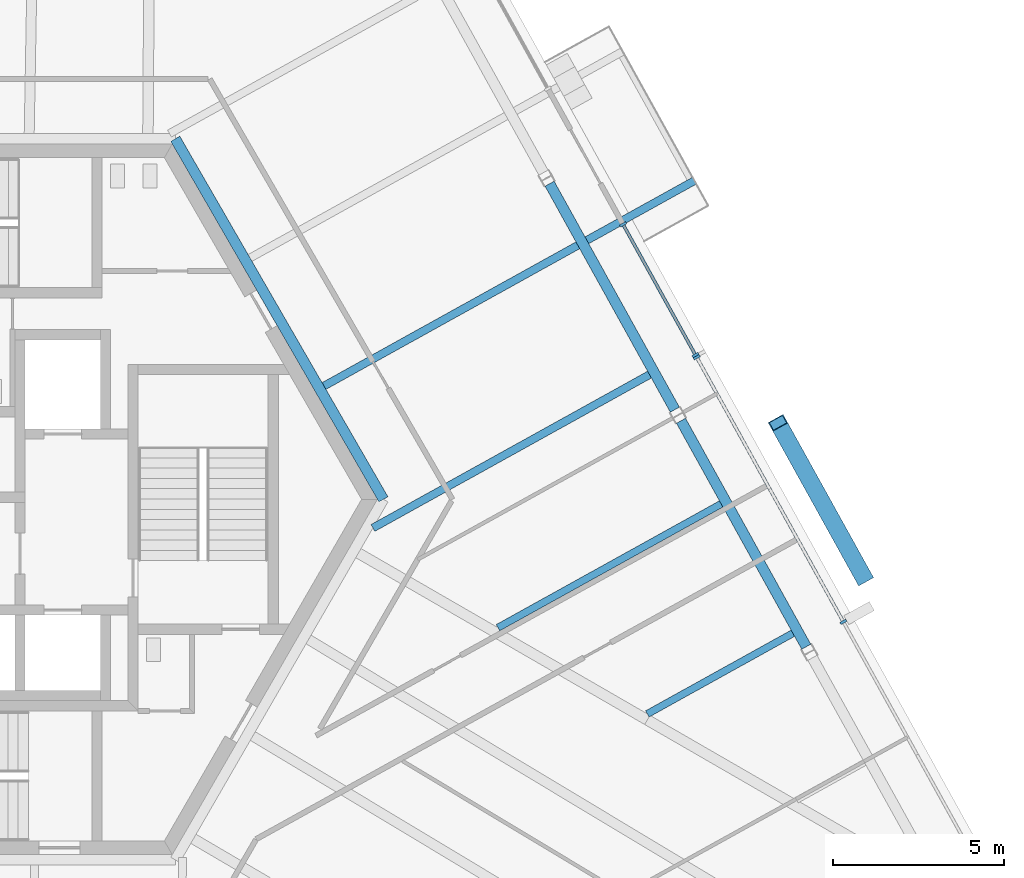
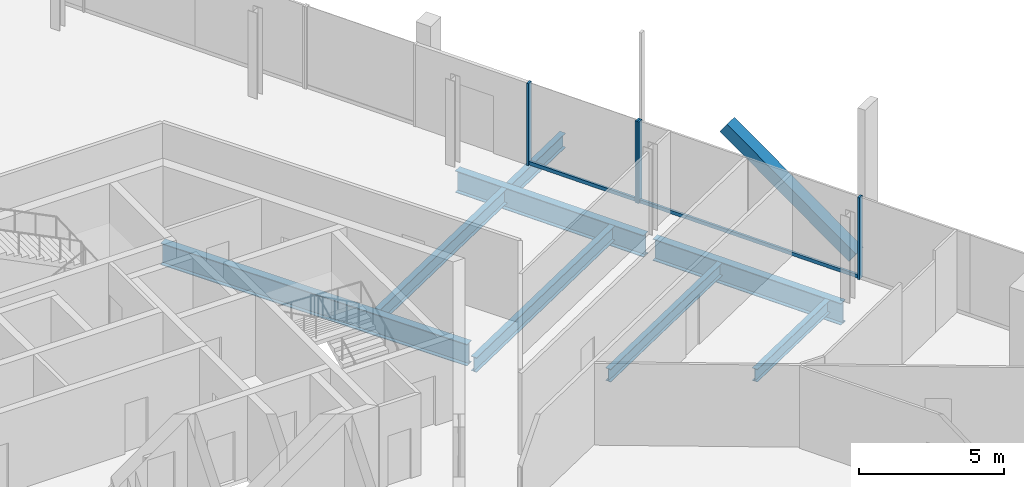
# One storey, part 7 of 21: 8 beams, 7 members, 2 elements without a shape of their own.
"""IFC4 building model written with IfcOpenShell, lengths in metres."""

from ifc_helpers import new_model, si_unit, direction, frame, origin, origin_2d, place, context, subcontext, project, spatial, rectangle, hollow_rectangle, i_section, extrude, source, transform, mapped, material, material_profile, profile_set, type_object, element, aggregate, save


model = new_model("IFC4")

# Units and contexts
model_context = context("Model", 3, precision=1e-05, world=origin(), true_north=direction((0.0, 1.0)))
body_context = subcontext(model_context, "Body", "Model", "MODEL_VIEW")
ifc_project = project(units=[si_unit("LENGTHUNIT", "METRE"), si_unit("AREAUNIT", "SQUARE_METRE"), si_unit("VOLUMEUNIT", "CUBIC_METRE"), si_unit("PLANEANGLEUNIT", "RADIAN"), si_unit("MASSUNIT", "GRAM", prefix="KILO")], contexts=[model_context])

# Site, building, storey
site_placement = place(None, origin())
site = spatial("IfcSite", under=ifc_project, at=site_placement, CompositionType="ELEMENT")
building_placement = place(site_placement, origin())
building = spatial("IfcBuilding", under=site, at=building_placement, Name="Triune Harvest Tower", CompositionType="ELEMENT")
storey_placement = place(building_placement, frame((0.0, 0.0, 187.10009765625)))
storey = spatial("IfcBuildingStorey", under=building, at=storey_placement, Name="L48", CompositionType="ELEMENT", Elevation=187.10009765625)

# Curtain wall, member
ifc_material_1 = material(Name="Aluminium bronze anodised", Category="aluminium")
curtain_wall_type_1 = type_object("IfcCurtainWallType", Name="CW-6 Balcony window wall", PredefinedType="NOTDEFINED", material=ifc_material_1)
curtain_wall_1_placement = place(storey_placement, origin())
curtain_wall_1 = element("IfcCurtainWall", 1, at=curtain_wall_1_placement, inside=storey, type_object=curtain_wall_type_1, Name="CW-6 B5-F1 L48 run 1001")
ifc_material_2 = material(Name="Aluminium bronze anodised", Category="aluminium")
ifc_material_profile_1 = material_profile(ifc_material_2, rectangle(XDim=0.090087890625, YDim=0.14990234375, at=origin_2d()), Name="TR-6 transom 90 x 150")
ifc_profile_set_1 = profile_set([ifc_material_profile_1], Name="Aluminium bronze anodised")
member_type_1 = type_object("IfcMemberType", Name="TR-6 transom 90 x 150", PredefinedType="USERDEFINED", material=ifc_profile_set_1)
member_1_placement = place(storey_placement, frame((21.283447265625, 4.253662109375, 0.074951171875), z_axis=(-0.48484596493, 0.874599559965, 0.0), x_axis=(-0.874599559965, -0.48484596493, 0.0)))
member_1 = element("IfcMember", 2, at=member_1_placement, type_object=member_type_1, Name="CW-6 transom B5-F1 1001.1", ObjectType="TRANSOM", PredefinedType="USERDEFINED", context=body_context, shape_type="SweptSolid", body=[
    extrude(rectangle(XDim=0.090087890625, YDim=0.14990234375, at=origin_2d()), origin(), (0.0, 0.0, 1.0), 4.292724609375),
])

# Beams
ifc_material_3 = material(Name="Steel ASTM A992 Gr 50", Category="steel")
ifc_material_profile_2 = material_profile(ifc_material_3, i_section(OverallWidth=0.3046875, OverallDepth=0.914306640625, WebThickness=0.0166015625, FlangeThickness=0.02587890625, at=origin_2d()), Name="W36x160")
ifc_profile_set_2 = profile_set([ifc_material_profile_2], Name="Steel ASTM A992 Gr 50")
beam_type_1 = type_object("IfcBeamType", Name="CG-1 Core ring girder W36x160", PredefinedType="BEAM", material=ifc_profile_set_2)
shared_shape_1 = source(origin(), body_context, "Body", "SweptSolid", [
    extrude(i_section(OverallWidth=0.3046875, OverallDepth=0.914306640625, WebThickness=0.0166015625, FlangeThickness=0.02587890625, at=origin_2d()), origin(), (0.0, 0.0, 1.0), 12.176025390625),
])
beam_1_placement = place(storey_placement, frame((12.176025390625, 0.0, -0.6171875), z_axis=(-0.5000099932, 0.866019634131, 0.0), x_axis=(-0.866019634131, -0.5000099932, 0.0)))
element("IfcBeam", 3, at=beam_1_placement, inside=storey, type_object=beam_type_1, Name="beam/L48/CG1", PredefinedType="BEAM", context=body_context, shape_type="MappedRepresentation", body=[
    mapped(shared_shape_1, transform((0.0, 0.0, 0.0), scale=1.0)),
])
ifc_material_4 = material(Name="Steel ASTM A992 Gr 50", Category="steel")
ifc_material_profile_3 = material_profile(ifc_material_4, i_section(OverallWidth=0.3046875, OverallDepth=0.914306640625, WebThickness=0.0166015625, FlangeThickness=0.02587890625, at=origin_2d()), Name="W36x160")
ifc_profile_set_3 = profile_set([ifc_material_profile_3], Name="Steel ASTM A992 Gr 50")
beam_type_2 = type_object("IfcBeamType", Name="SB-1 Spandrel beam W36x160", PredefinedType="SPANDREL", material=ifc_profile_set_3)
shared_shape_2 = source(origin(), body_context, "Body", "SweptSolid", [
    extrude(i_section(OverallWidth=0.3046875, OverallDepth=0.914306640625, WebThickness=0.0166015625, FlangeThickness=0.02587890625, at=origin_2d()), origin(), (0.0, 0.0, 1.0), 7.556396484375),
])
for number, where, z_axis, x_axis, name in (
    (4, (24.542236328125, -4.311279296875, -0.6171875), (-0.484806011206, 0.874621707654, 0.0), (-0.874621707654, -0.484806011206, 0.0), "beam/L48/SB2"),
    (5, (20.698974609375, 2.6220703125, -0.6171875), (-0.484806011206, 0.874621707654, 0.0), (-0.874621707654, -0.484806011206, 0.0), "beam/L48/SB3"),
):
    element("IfcBeam", number, at=place(storey_placement, frame(where, z_axis=z_axis, x_axis=x_axis)), inside=storey, type_object=beam_type_2, Name=name, PredefinedType="SPANDREL", context=body_context, shape_type="MappedRepresentation", body=[
        mapped(shared_shape_2, transform((0.0, 0.0, 0.0), scale=1.0)),
    ])
ifc_material_5 = material(Name="Steel ASTM A992 Gr 50", Category="steel")
ifc_material_profile_4 = material_profile(ifc_material_5, i_section(OverallWidth=0.2099609375, OverallDepth=0.535888671875, WebThickness=0.010986328125, FlangeThickness=0.017333984375, at=origin_2d()), Name="W21x68")
ifc_profile_set_4 = profile_set([ifc_material_profile_4], Name="Steel ASTM A992 Gr 50")
beam_type_3 = type_object("IfcBeamType", Name="JT-2 Floor joist W21x68", PredefinedType="JOIST", material=ifc_profile_set_4)
shared_shape_3 = source(origin(), body_context, "Body", "SweptSolid", [
    extrude(i_section(OverallWidth=0.2099609375, OverallDepth=0.535888671875, WebThickness=0.010986328125, FlangeThickness=0.017333984375, at=origin_2d()), origin(), (0.0, 0.0, 1.0), 4.8642578125),
])
beam_2_placement = place(storey_placement, frame((24.1494140625, -3.9169921875, -0.427978515625), z_axis=(-0.874606715021, -0.484833057908, 0.0), x_axis=(0.484833057908, -0.874606715021, 0.0)))
element("IfcBeam", 6, at=beam_2_placement, inside=storey, type_object=beam_type_3, Name="beam/L48/JT2", PredefinedType="JOIST", context=body_context, shape_type="MappedRepresentation", body=[
    mapped(shared_shape_3, transform((0.0, 0.0, 0.0), scale=1.0)),
])
shared_shape_4 = source(origin(), body_context, "Body", "SweptSolid", [
    extrude(i_section(OverallWidth=0.2099609375, OverallDepth=0.535888671875, WebThickness=0.010986328125, FlangeThickness=0.017333984375, at=origin_2d()), origin(), (0.0, 0.0, 1.0), 7.46240234375),
])
beam_3_placement = place(storey_placement, frame((22.052978515625, -0.13525390625, -0.427978515625), z_axis=(-0.87461829469, -0.484812168363, 0.0), x_axis=(0.484812168363, -0.87461829469, 0.0)))
element("IfcBeam", 7, at=beam_3_placement, inside=storey, type_object=beam_type_3, Name="beam/L48/JT3", PredefinedType="JOIST", context=body_context, shape_type="MappedRepresentation", body=[
    mapped(shared_shape_4, transform((0.0, 0.0, 0.0), scale=1.0)),
])
ifc_material_6 = material(Name="Steel ASTM A992 Gr 50", Category="steel")
ifc_material_profile_5 = material_profile(ifc_material_6, i_section(OverallWidth=0.22900390625, OverallDepth=0.612060546875, WebThickness=0.011962890625, FlangeThickness=0.01953125, at=origin_2d()), Name="W24x84")
ifc_profile_set_5 = profile_set([ifc_material_profile_5], Name="Steel ASTM A992 Gr 50")
beam_type_4 = type_object("IfcBeamType", Name="JT-3 Floor joist W24x84", PredefinedType="JOIST", material=ifc_profile_set_5)
shared_shape_5 = source(origin(), body_context, "Body", "SweptSolid", [
    extrude(i_section(OverallWidth=0.22900390625, OverallDepth=0.612060546875, WebThickness=0.011962890625, FlangeThickness=0.01953125, at=origin_2d()), origin(), (0.0, 0.0, 1.0), 9.247314453125),
])
beam_4_placement = place(storey_placement, frame((19.956787109375, 3.646484375, -0.46630859375), z_axis=(-0.874621389222, -0.484806585676, 0.0), x_axis=(0.484806585676, -0.874621389222, 0.0)))
element("IfcBeam", 8, at=beam_4_placement, inside=storey, type_object=beam_type_4, Name="beam/L48/JT4", PredefinedType="JOIST", context=body_context, shape_type="MappedRepresentation", body=[
    mapped(shared_shape_5, transform((0.0, 0.0, 0.0), scale=1.0)),
])
shared_shape_6 = source(origin(), body_context, "Body", "SweptSolid", [
    extrude(i_section(OverallWidth=0.22900390625, OverallDepth=0.612060546875, WebThickness=0.011962890625, FlangeThickness=0.01953125, at=origin_2d()), origin(), (0.0, 0.0, 1.0), 8.486083984375),
])
beam_5_placement = place(storey_placement, frame((17.860595703125, 7.42822265625, -0.46630859375), z_axis=(-0.874626410095, -0.484797527598, 0.0), x_axis=(0.484797527598, -0.874626410095, 0.0)))
element("IfcBeam", 9, at=beam_5_placement, inside=storey, type_object=beam_type_4, Name="beam/L48/JT5", PredefinedType="JOIST", context=body_context, shape_type="MappedRepresentation", body=[
    mapped(shared_shape_6, transform((0.0, 0.0, 0.0), scale=1.0)),
])

# Member
ifc_material_7 = material(Name="Steel ASTM A572 Gr 50", Category="steel")
ifc_material_profile_6 = material_profile(ifc_material_7, hollow_rectangle(XDim=0.5, YDim=0.5, WallThickness=0.030029296875, at=origin_2d()), Name="Box 500x500x30")
ifc_profile_set_6 = profile_set([ifc_material_profile_6], Name="Steel ASTM A572 Gr 50")
member_type_2 = type_object("IfcMemberType", Name="BR-3 Brace Box 500x500x30", PredefinedType="BRACE", material=ifc_profile_set_6)
shared_shape_7 = source(origin(), body_context, "Body", "SweptSolid", [
    extrude(hollow_rectangle(XDim=0.5, YDim=0.5, WallThickness=0.030029296875, at=origin_2d()), origin(), (0.0, 0.0, 1.0), 6.302978515625),
])
member_2_placement = place(storey_placement, frame((26.2236328125, -2.286865234375, 0.0), z_axis=(-0.397955183155, 0.717938419289, 0.571135796732), x_axis=(-0.874622073529, -0.484805351143, 0.0)))
element("IfcMember", 10, at=member_2_placement, inside=storey, type_object=member_type_2, Name="brace/B5-F1/d1/3", PredefinedType="BRACE", context=body_context, shape_type="MappedRepresentation", body=[
    mapped(shared_shape_7, transform((0.0, 0.0, 0.0), scale=1.0)),
])

# Curtain wall, members
ifc_material_8 = material(Name="Aluminium bronze anodised", Category="aluminium")
curtain_wall_type_2 = type_object("IfcCurtainWallType", Name="CW-10 Balcony window wall with insulated spandrel infill", PredefinedType="NOTDEFINED", material=ifc_material_8)
curtain_wall_2_placement = place(storey_placement, origin())
curtain_wall_2 = element("IfcCurtainWall", 11, at=curtain_wall_2_placement, inside=storey, type_object=curtain_wall_type_2, Name="CW-10 B5-F1 L48 run 1")
ifc_material_9 = material(Name="Aluminium bronze anodised", Category="aluminium")
ifc_material_profile_7 = material_profile(ifc_material_9, rectangle(XDim=0.199951171875, YDim=0.074951171875, at=origin_2d()), Name="MU-6 mullion 75 x 200")
ifc_profile_set_7 = profile_set([ifc_material_profile_7], Name="Aluminium bronze anodised")
member_type_3 = type_object("IfcMemberType", Name="MU-6 mullion 75 x 200", PredefinedType="MULLION", material=ifc_profile_set_7)
shared_shape_8 = source(origin(), body_context, "Body", "SweptSolid", [
    extrude(rectangle(XDim=0.199951171875, YDim=0.074951171875, at=origin_2d()), origin(), (0.0, 0.0, 1.0), 3.43994140625),
])
member_3_placement = place(storey_placement, frame((25.62744140625, -3.583251953125, 0.0), z_axis=(0.0, 0.0, 1.0), x_axis=(-0.874621435172, -0.48480650278, 0.0)))
member_3 = element("IfcMember", 12, at=member_3_placement, type_object=member_type_3, Name="CW-10 mullion B5-F1 1.3", PredefinedType="MULLION", context=body_context, shape_type="MappedRepresentation", body=[
    mapped(shared_shape_8, transform((0.0, 0.0, 0.0), scale=1.0)),
])
member_4_placement = place(storey_placement, frame((21.337890625, 4.1552734375, 0.0), z_axis=(0.0, 0.0, 1.0), x_axis=(-0.874621435172, -0.48480650278, 0.0)))
member_4 = element("IfcMember", 13, at=member_4_placement, type_object=member_type_3, Name="CW-10 mullion B5-F1 1.5", PredefinedType="MULLION", context=body_context, shape_type="MappedRepresentation", body=[
    mapped(shared_shape_8, transform((0.0, 0.0, 0.0), scale=1.0)),
])

# Member
member_5_placement = place(storey_placement, frame((21.301513671875, 4.220947265625, 0.0), z_axis=(0.0, 0.0, 1.0), x_axis=(-0.874615946761, -0.484816404086, 0.0)))
member_5 = element("IfcMember", 14, at=member_5_placement, type_object=member_type_3, Name="CW-6 mullion B5-F1 1001.1", PredefinedType="MULLION", context=body_context, shape_type="MappedRepresentation", body=[
    mapped(shared_shape_8, transform((0.0, 0.0, 0.0), scale=1.0)),
])

member_6_placement = place(storey_placement, frame((19.18408203125, 8.041015625, 0.0), z_axis=(0.0, 0.0, 1.0), x_axis=(-0.874615946761, -0.484816404086, 0.0)))
member_6 = element("IfcMember", 15, at=member_6_placement, type_object=member_type_3, Name="CW-6 mullion B5-F1 1001.2", PredefinedType="MULLION", context=body_context, shape_type="MappedRepresentation", body=[
    mapped(shared_shape_8, transform((0.0, 0.0, 0.0), scale=1.0)),
])

aggregate(curtain_wall_1, [member_5, member_6, member_1])

# Beam
ifc_material_10 = material(Name="Steel ASTM A992 Gr 50", Category="steel")
ifc_material_profile_8 = material_profile(ifc_material_10, i_section(OverallWidth=0.22900390625, OverallDepth=0.612060546875, WebThickness=0.011962890625, FlangeThickness=0.01953125, at=origin_2d()), Name="W24x84")
ifc_profile_set_8 = profile_set([ifc_material_profile_8], Name="Steel ASTM A992 Gr 50")
beam_type_5 = type_object("IfcBeamType", Name="BJ-3 Balcony cantilever joist W24x84", PredefinedType="JOIST", material=ifc_profile_set_8)
shared_shape_9 = source(origin(), body_context, "Body", "SweptSolid", [
    extrude(i_section(OverallWidth=0.22900390625, OverallDepth=0.612060546875, WebThickness=0.011962890625, FlangeThickness=0.01953125, at=origin_2d()), origin(), (0.0, 0.0, 1.0), 3.59765625),
])
beam_6_placement = place(storey_placement, frame((18.127197265625, 7.576171875, -0.46630859375), z_axis=(0.87461783831, 0.484812991689, 0.0), x_axis=(-0.484812991689, 0.87461783831, 0.0)))
element("IfcBeam", 16, at=beam_6_placement, inside=storey, type_object=beam_type_5, Name="Balcony cantilever joist B5-F1 L48.6b", PredefinedType="JOIST", context=body_context, shape_type="MappedRepresentation", body=[
    mapped(shared_shape_9, transform((0.0, 0.0, 0.0), scale=1.0)),
])

# Member
shared_shape_10 = source(origin(), body_context, "Body", "SweptSolid", [
    extrude(rectangle(XDim=0.090087890625, YDim=0.14990234375, at=origin_2d()), origin(), (0.0, 0.0, 1.0), 8.772705078125),
])
member_7_placement = place(storey_placement, frame((25.609130859375, -3.55029296875, 0.074951171875), z_axis=(-0.484813348474, 0.874617640539, 0.0), x_axis=(-0.874617640539, -0.484813348474, 0.0)))
member_7 = element("IfcMember", 17, at=member_7_placement, type_object=member_type_1, Name="CW-10 transom B5-F1 1.2", ObjectType="TRANSOM", PredefinedType="USERDEFINED", context=body_context, shape_type="MappedRepresentation", body=[
    mapped(shared_shape_10, transform((0.0, 0.0, 0.0), scale=1.0)),
])

aggregate(curtain_wall_2, [member_3, member_4, member_7])

save(model, "model.ifc")
